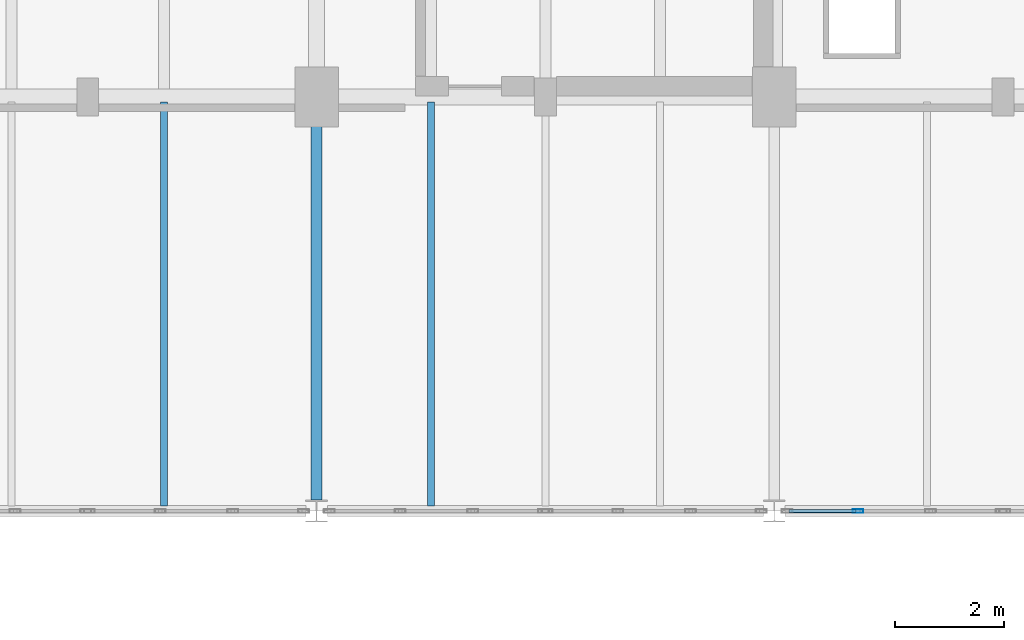
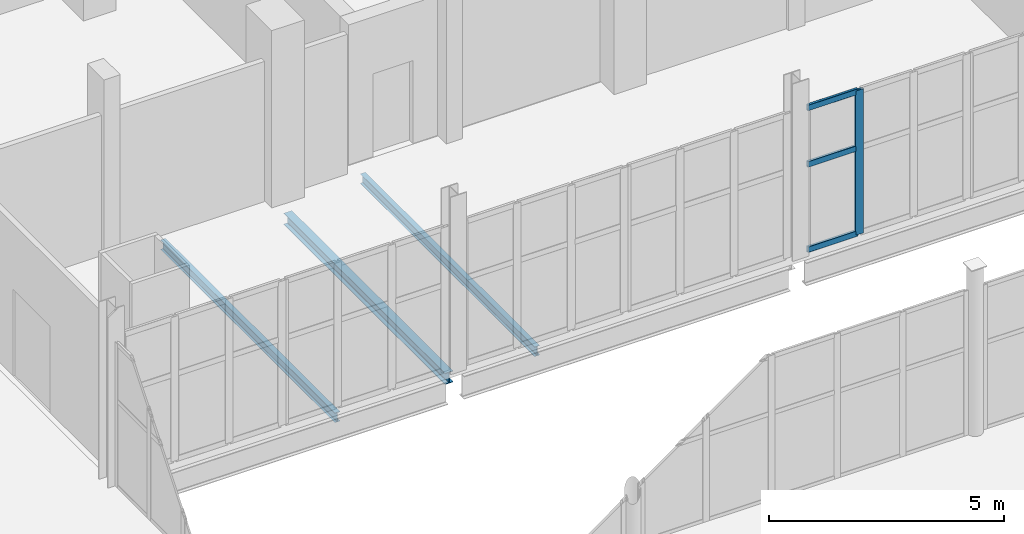
# One storey, part 72 of 172: 4 members, 3 beams, 1 element without a shape of its own.
"""IFC4 building model written with IfcOpenShell, lengths in metres."""

from ifc_helpers import new_model, si_unit, direction, frame, origin, origin_2d, place, context, subcontext, project, spatial, hollow_rectangle, i_section, extrude, material, material_profile, profile_set, type_object, element, aggregate, save


model = new_model("IFC4")

# Units and contexts
model_context = context("Model", 3, precision=1e-05, world=origin(), true_north=direction((0.0, 1.0)))
body_context = subcontext(model_context, "Body", "Model", "MODEL_VIEW")
ifc_project = project(units=[si_unit("LENGTHUNIT", "METRE"), si_unit("AREAUNIT", "SQUARE_METRE"), si_unit("VOLUMEUNIT", "CUBIC_METRE"), si_unit("PLANEANGLEUNIT", "RADIAN"), si_unit("MASSUNIT", "GRAM", prefix="KILO")], contexts=[model_context])

# Site, building, storey
site_placement = place(None, origin())
site = spatial("IfcSite", under=ifc_project, at=site_placement, CompositionType="ELEMENT")
building_placement = place(site_placement, origin())
building = spatial("IfcBuilding", under=site, at=building_placement, Name="Shengluoqiao Park Theatre", CompositionType="ELEMENT")
storey_placement = place(building_placement, frame((0.0, 0.0, 5.39990234375)))
storey = spatial("IfcBuildingStorey", under=building, at=storey_placement, Name="L01", CompositionType="ELEMENT", Elevation=5.39990234375)

# Curtain wall, members
ifc_material_1 = material(Name="Aluminium 6063-T6", Category="aluminium")
curtain_wall_type = type_object("IfcCurtainWallType", Name="ENV-CW-PROM", PredefinedType="NOTDEFINED", material=ifc_material_1)
curtain_wall_placement = place(storey_placement, origin())
curtain_wall = element("IfcCurtainWall", 1, at=curtain_wall_placement, inside=storey, type_object=curtain_wall_type, Name="L01 Curtain Wall CW-L01-0055", PredefinedType="NOTDEFINED")
ifc_material_profile_1 = material_profile(ifc_material_1, hollow_rectangle(XDim=0.06494140625, YDim=0.199951171875, WallThickness=0.0048828125, InnerFilletRadius=0.0048828125, OuterFilletRadius=0.010009765625, at=origin_2d()), Name="ALU MULLION 200x65x5")
ifc_profile_set_1 = profile_set([ifc_material_profile_1], Name="Aluminium 6063-T6")
member_type_1 = type_object("IfcMemberType", Name="ENV-MUL-200", PredefinedType="MULLION", material=ifc_profile_set_1)
member_1_placement = place(storey_placement, frame((62.736083984375, 68.39990234375, 0.0), z_axis=(0.0, 0.0, 1.0), x_axis=(0.0, 1.0, 0.0)))
member_1 = element("IfcMember", 2, at=member_1_placement, type_object=member_type_1, Name="CW-04 mullion 2", PredefinedType="MULLION", context=body_context, shape_type="SweptSolid", body=[
    extrude(hollow_rectangle(XDim=0.06494140625, YDim=0.199951171875, WallThickness=0.0048828125, InnerFilletRadius=0.0048828125, OuterFilletRadius=0.010009765625, at=origin_2d()), origin(), (0.0, 0.0, 1.0), 3.7421875),
])
ifc_material_profile_2 = material_profile(ifc_material_1, hollow_rectangle(XDim=0.06494140625, YDim=0.14990234375, WallThickness=0.00390625, InnerFilletRadius=0.00390625, OuterFilletRadius=0.008056640625, at=origin_2d()), Name="ALU TRANSOM 150x65x4")
ifc_profile_set_2 = profile_set([ifc_material_profile_2], Name="Aluminium 6063-T6")
member_type_2 = type_object("IfcMemberType", Name="ENV-TRN-150", PredefinedType="USERDEFINED", material=ifc_profile_set_2)
member_2_placement = place(storey_placement, frame((61.468994140625, 68.39990234375, 0.03271484375), z_axis=(1.0, 0.0, 0.0), x_axis=(0.0, 1.0, 0.0)))
member_2 = element("IfcMember", 3, at=member_2_placement, type_object=member_type_2, Name="CW-04 transom 1.1", ObjectType="TRANSOM", PredefinedType="USERDEFINED", context=body_context, shape_type="SweptSolid", body=[
    extrude(hollow_rectangle(XDim=0.06494140625, YDim=0.14990234375, WallThickness=0.00390625, InnerFilletRadius=0.00390625, OuterFilletRadius=0.008056640625, at=origin_2d()), origin(), (0.0, 0.0, 1.0), 1.234619140625),
])
member_3_placement = place(storey_placement, frame((61.468994140625, 68.39990234375, 2.2451171875), z_axis=(1.0, 0.0, 0.0), x_axis=(0.0, 1.0, 0.0)))
member_3 = element("IfcMember", 4, at=member_3_placement, type_object=member_type_2, Name="CW-04 transom 1.2", ObjectType="TRANSOM", PredefinedType="USERDEFINED", context=body_context, shape_type="SweptSolid", body=[
    extrude(hollow_rectangle(XDim=0.06494140625, YDim=0.14990234375, WallThickness=0.00390625, InnerFilletRadius=0.00390625, OuterFilletRadius=0.008056640625, at=origin_2d()), origin(), (0.0, 0.0, 1.0), 1.234619140625),
])
member_4_placement = place(storey_placement, frame((61.468994140625, 68.39990234375, 3.709716796875), z_axis=(1.0, 0.0, 0.0), x_axis=(0.0, 1.0, 0.0)))
member_4 = element("IfcMember", 5, at=member_4_placement, type_object=member_type_2, Name="CW-04 transom 1.3", ObjectType="TRANSOM", PredefinedType="USERDEFINED", context=body_context, shape_type="SweptSolid", body=[
    extrude(hollow_rectangle(XDim=0.06494140625, YDim=0.14990234375, WallThickness=0.00390625, InnerFilletRadius=0.00390625, OuterFilletRadius=0.008056640625, at=origin_2d()), origin(), (0.0, 0.0, 1.0), 1.234619140625),
])
aggregate(curtain_wall, [member_1, member_2, member_3, member_4])

# Beams
ifc_material_2 = material(Name="Steel Q355", Category="steel")
ifc_material_profile_3 = material_profile(ifc_material_2, i_section(OverallWidth=0.199951171875, OverallDepth=0.2939453125, WebThickness=0.008056640625, FlangeThickness=0.011962890625, FilletRadius=0.01611328125, at=origin_2d()), Name="HM 294x200x8x12")
ifc_profile_set_3 = profile_set([ifc_material_profile_3], Name="Steel Q355")
beam_type_1 = type_object("IfcBeamType", Name="STR-BM-G-HM294", PredefinedType="BEAM", material=ifc_profile_set_3)
beam_placement = place(storey_placement, frame((52.800048828125, 68.60107421875, -0.386962890625), z_axis=(0.0, 1.0, 0.0), x_axis=(-1.0, 0.0, 0.0)))
element("IfcBeam", 6, at=beam_placement, inside=storey, type_object=beam_type_1, Name="L01 Transverse Girder 00502", PredefinedType="BEAM", context=body_context, shape_type="SweptSolid", body=[
    extrude(i_section(OverallWidth=0.199951171875, OverallDepth=0.2939453125, WebThickness=0.008056640625, FlangeThickness=0.011962890625, FilletRadius=0.01611328125, at=origin_2d()), origin(), (0.0, 0.0, 1.0), 6.85498046875),
])
ifc_material_profile_4 = material_profile(ifc_material_2, i_section(OverallWidth=0.125, OverallDepth=0.25, WebThickness=0.006103515625, FlangeThickness=0.009033203125, FilletRadius=0.010009765625, at=origin_2d()), Name="HN 250x125x6x9")
ifc_profile_set_4 = profile_set([ifc_material_profile_4], Name="Steel Q355")
beam_type_2 = type_object("IfcBeamType", Name="STR-BM-J-HN250", PredefinedType="JOIST", material=ifc_profile_set_4)
for number, where, z_axis, x_axis, name in (
    (7, (50.0, 68.494384765625, -0.364990234375), (0.0, 1.0, 0.0), (-1.0, 0.0, 0.0), "L01 Composite Joist 00507"),
    (8, (54.89990234375, 68.494384765625, -0.364990234375), (0.0, 1.0, 0.0), (-1.0, 0.0, 0.0), "L01 Composite Joist 00508"),
):
    element("IfcBeam", number, at=place(storey_placement, frame(where, z_axis=z_axis, x_axis=x_axis)), inside=storey, type_object=beam_type_2, Name=name, PredefinedType="JOIST", context=body_context, shape_type="SweptSolid", body=[
        extrude(i_section(OverallWidth=0.125, OverallDepth=0.25, WebThickness=0.006103515625, FlangeThickness=0.009033203125, FilletRadius=0.010009765625, at=origin_2d()), origin(), (0.0, 0.0, 1.0), 7.4111328125),
    ])

save(model, "model.ifc")
